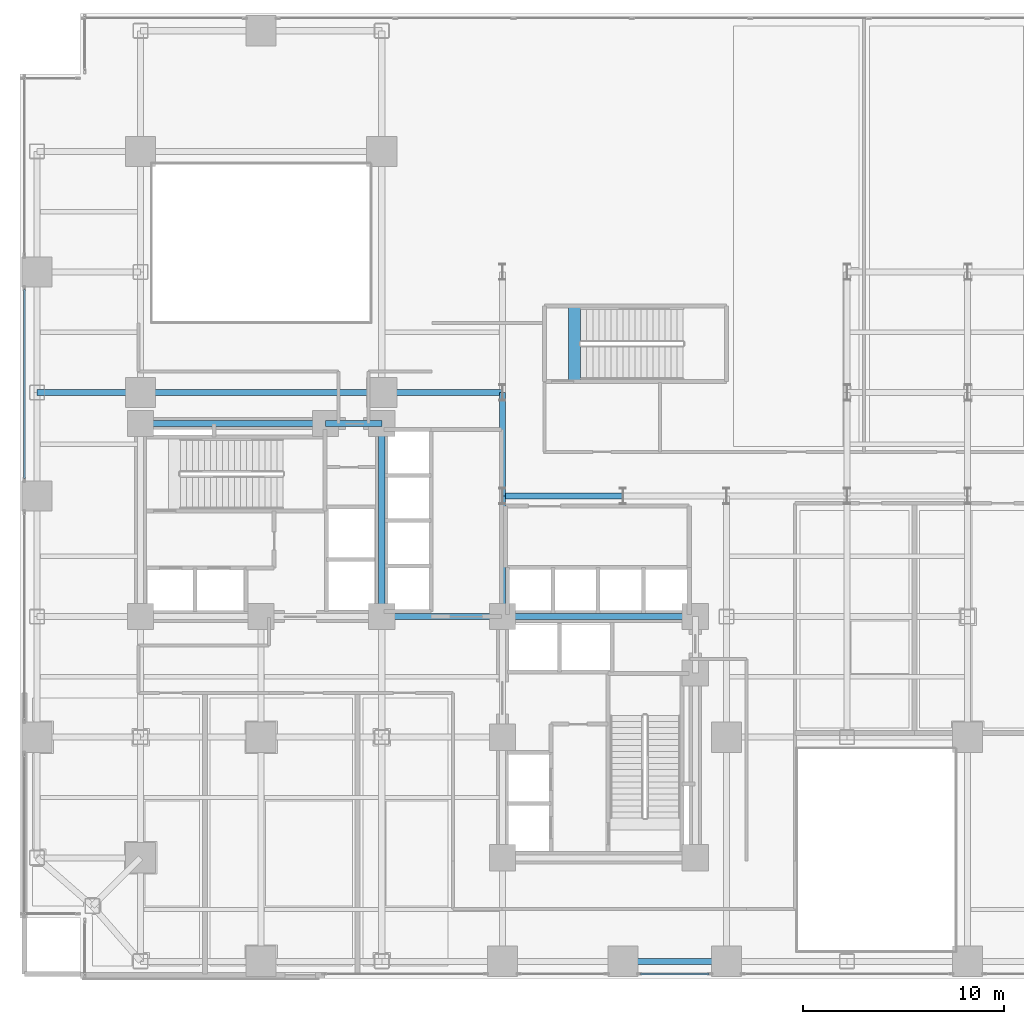
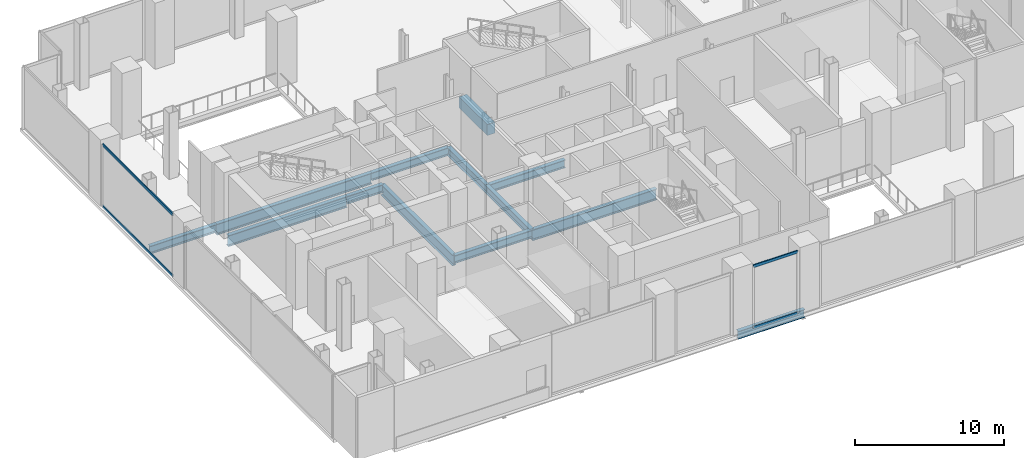
# One storey, part 8 of 28: 13 beams, 4 members, 2 elements without a shape of their own.
"""IFC4 building model written with IfcOpenShell, lengths in metres."""

from ifc_helpers import new_model, si_unit, direction, frame, origin, origin_2d, place, context, subcontext, project, spatial, rectangle, hollow_rectangle, i_section, extrude, material, layer, layer_set, material_profile, profile_set, type_object, element, aggregate, save


model = new_model("IFC4")

# Units and contexts
model_context = context("Model", 3, precision=1e-05, world=origin(), true_north=direction((0.0, 1.0)))
body_context = subcontext(model_context, "Body", "Model", "MODEL_VIEW")
ifc_project = project(units=[si_unit("LENGTHUNIT", "METRE"), si_unit("AREAUNIT", "SQUARE_METRE"), si_unit("VOLUMEUNIT", "CUBIC_METRE"), si_unit("PLANEANGLEUNIT", "RADIAN"), si_unit("MASSUNIT", "GRAM", prefix="KILO"), si_unit("THERMODYNAMICTEMPERATUREUNIT", "KELVIN"), si_unit("POWERUNIT", "WATT")], contexts=[model_context])

# Site, building, storey
site_placement = place(None, origin())
site = spatial("IfcSite", under=ifc_project, at=site_placement, CompositionType="ELEMENT")
building_placement = place(site_placement, origin())
building = spatial("IfcBuilding", under=site, at=building_placement, Name="Svarakhadi Broadcast Tower", CompositionType="ELEMENT")
storey_placement = place(building_placement, frame((0.0, 0.0, 11.10009765625)))
storey = spatial("IfcBuildingStorey", under=building, at=storey_placement, Name="L02", CompositionType="ELEMENT", Elevation=11.10009765625)

# Curtain wall, members
ifc_material_1 = material(Name="Anodised Bronze Aluminium AA 6063-T6", Category="aluminium")
ifc_layer = layer(ifc_material_1, 0.25)
ifc_layer_set = layer_set([ifc_layer], Name="Anodised Bronze Aluminium AA 6063-T6")
curtain_wall_type = type_object("IfcCurtainWallType", Name="CW_Sys_01", PredefinedType="NOTDEFINED", material=ifc_layer_set)
curtain_wall_1_placement = place(storey_placement, origin())
curtain_wall_1 = element("IfcCurtainWall", 1, at=curtain_wall_1_placement, inside=storey, type_object=curtain_wall_type, Name="L02 Unitised Facade Curtain Wall 02 Bay 3", PredefinedType="NOTDEFINED")
ifc_material_profile_1 = material_profile(ifc_material_1, hollow_rectangle(XDim=0.0849609375, YDim=0.219970703125, WallThickness=0.0048828125, at=origin_2d()), Name="ALU TRANSOM 220x85x5")
ifc_profile_set_1 = profile_set([ifc_material_profile_1], Name="Anodised Bronze Aluminium AA 6063-T6")
member_type = type_object("IfcMemberType", Name="CW_Sys_01_Trn", PredefinedType="USERDEFINED", material=ifc_profile_set_1)
member_1_placement = place(storey_placement, frame((0.219970703125, 24.864990234375, 0.04248046875), z_axis=(0.0, 1.0, 0.0), x_axis=(-1.0, 0.0, 0.0)))
member_1 = element("IfcMember", 2, at=member_1_placement, type_object=member_type, Name="CW-01 transom 1.1", ObjectType="TRANSOM", PredefinedType="USERDEFINED", context=body_context, shape_type="SweptSolid", body=[
    extrude(hollow_rectangle(XDim=0.0849609375, YDim=0.219970703125, WallThickness=0.0048828125, at=origin_2d()), origin(), (0.0, 0.0, 1.0), 9.419921875),
])
member_2_placement = place(storey_placement, frame((0.219970703125, 24.864990234375, 5.057373046875), z_axis=(0.0, 1.0, 0.0), x_axis=(-1.0, 0.0, 0.0)))
member_2 = element("IfcMember", 3, at=member_2_placement, type_object=member_type, Name="CW-01 transom 1.2", ObjectType="TRANSOM", PredefinedType="USERDEFINED", context=body_context, shape_type="SweptSolid", body=[
    extrude(hollow_rectangle(XDim=0.0849609375, YDim=0.219970703125, WallThickness=0.0048828125, at=origin_2d()), origin(), (0.0, 0.0, 1.0), 9.419921875),
])
aggregate(curtain_wall_1, [member_1, member_2])

curtain_wall_2_placement = place(storey_placement, origin())
curtain_wall_2 = element("IfcCurtainWall", 4, at=curtain_wall_2_placement, inside=storey, type_object=curtain_wall_type, Name="L02 South Curtain Wall 11 Bay 3", PredefinedType="NOTDEFINED")
member_3_placement = place(storey_placement, frame((34.284912109375, 0.219970703125, 0.04248046875), z_axis=(-1.0, 0.0, 0.0), x_axis=(0.0, -1.0, 0.0)))
member_3 = element("IfcMember", 5, at=member_3_placement, type_object=member_type, Name="CW-01 transom 1.1", ObjectType="TRANSOM", PredefinedType="USERDEFINED", context=body_context, shape_type="SweptSolid", body=[
    extrude(hollow_rectangle(XDim=0.0849609375, YDim=0.219970703125, WallThickness=0.0048828125, at=origin_2d()), origin(), (0.0, 0.0, 1.0), 3.419921875),
])
member_4_placement = place(storey_placement, frame((34.284912109375, 0.219970703125, 5.057373046875), z_axis=(-1.0, 0.0, 0.0), x_axis=(0.0, -1.0, 0.0)))
member_4 = element("IfcMember", 6, at=member_4_placement, type_object=member_type, Name="CW-01 transom 1.2", ObjectType="TRANSOM", PredefinedType="USERDEFINED", context=body_context, shape_type="SweptSolid", body=[
    extrude(hollow_rectangle(XDim=0.0849609375, YDim=0.219970703125, WallThickness=0.0048828125, at=origin_2d()), origin(), (0.0, 0.0, 1.0), 3.419921875),
])
aggregate(curtain_wall_2, [member_3, member_4])

# Beams
ifc_material_2 = material(Name="Concrete C50/60 (IS 456 M60)", Category="concrete")
ifc_material_profile_2 = material_profile(ifc_material_2, rectangle(XDim=0.60009765625, YDim=0.89990234375, at=origin_2d()), Name="RC 600x900")
ifc_profile_set_2 = profile_set([ifc_material_profile_2], Name="Concrete C50/60 (IS 456 M60)")
beam_type_1 = type_object("IfcBeamType", Name="Coupling_RC600", PredefinedType="USERDEFINED", material=ifc_profile_set_2)
beam_1_placement = place(storey_placement, frame((27.60009765625, 29.699951171875, -0.4501953125), z_axis=(0.0, 1.0, 0.0), x_axis=(-1.0, 0.0, 0.0)))
element("IfcBeam", 7, at=beam_1_placement, inside=storey, type_object=beam_type_1, Name="L02 Stair ST-03 Landing Throat Trimmer Beam CB-01", ObjectType="GIRDER", PredefinedType="USERDEFINED", context=body_context, shape_type="SweptSolid", body=[
    extrude(rectangle(XDim=0.60009765625, YDim=0.89990234375, at=origin_2d()), origin(), (0.0, 0.0, 1.0), 3.760009765625),
])
ifc_material_3 = material(Name="Steel S355J2 (IS 2062 E350C)", Category="steel")
ifc_material_profile_3 = material_profile(ifc_material_3, i_section(OverallWidth=0.300048828125, OverallDepth=0.64990234375, WebThickness=0.01611328125, FlangeThickness=0.031005859375, FilletRadius=0.027099609375, at=origin_2d()), Name="WPB 650x300x225")
ifc_profile_set_3 = profile_set([ifc_material_profile_3], Name="Steel S355J2 (IS 2062 E350C)")
beam_type_2 = type_object("IfcBeamType", Name="Girder_WPB650", PredefinedType="USERDEFINED", material=ifc_profile_set_3)
beam_2_placement = place(storey_placement, frame((30.0, 0.85009765625, -0.60009765625), z_axis=(1.0, 0.0, 0.0), x_axis=(0.0, 1.0, 0.0)))
element("IfcBeam", 8, at=beam_2_placement, inside=storey, type_object=beam_type_2, Name="L02 Primary E-W Girder G008", ObjectType="GIRDER", PredefinedType="USERDEFINED", context=body_context, shape_type="SweptSolid", body=[
    extrude(i_section(OverallWidth=0.300048828125, OverallDepth=0.64990234375, WebThickness=0.01611328125, FlangeThickness=0.031005859375, FilletRadius=0.027099609375, at=origin_2d()), origin(), (0.0, 0.0, 1.0), 5.14990234375),
])
for number, where, z_axis, x_axis, name in (
    (9, (18.0, 18.0, -0.60009765625), (1.0, 0.0, 0.0), (0.0, 1.0, 0.0), "L02 Primary E-W Girder G023"),
    (10, (24.0, 24.0, -0.60009765625), (1.0, 0.0, 0.0), (0.0, 1.0, 0.0), "L02 Primary E-W Girder G026"),
):
    element("IfcBeam", number, at=place(storey_placement, frame(where, z_axis=z_axis, x_axis=x_axis)), inside=storey, type_object=beam_type_2, Name=name, ObjectType="GIRDER", PredefinedType="USERDEFINED", context=body_context, shape_type="SweptSolid", body=[
        extrude(i_section(OverallWidth=0.300048828125, OverallDepth=0.64990234375, WebThickness=0.01611328125, FlangeThickness=0.031005859375, FilletRadius=0.027099609375, at=origin_2d()), origin(), (0.0, 0.0, 1.0), 6.0),
    ])
beam_3_placement = place(storey_placement, frame((15.199951171875, 27.60009765625, -0.60009765625), z_axis=(1.0, 0.0, 0.0), x_axis=(0.0, 1.0, 0.0)))
element("IfcBeam", 11, at=beam_3_placement, inside=storey, type_object=beam_type_2, Name="L02 Primary E-W Girder G031", ObjectType="GIRDER", PredefinedType="USERDEFINED", context=body_context, shape_type="SweptSolid", body=[
    extrude(i_section(OverallWidth=0.300048828125, OverallDepth=0.64990234375, WebThickness=0.01611328125, FlangeThickness=0.031005859375, FilletRadius=0.027099609375, at=origin_2d()), origin(), (0.0, 0.0, 1.0), 2.800048828125),
])
beam_4_placement = place(storey_placement, frame((0.85009765625, 29.14990234375, -0.60009765625), z_axis=(1.0, 0.0, 0.0), x_axis=(0.0, 1.0, 0.0)))
element("IfcBeam", 12, at=beam_4_placement, inside=storey, type_object=beam_type_2, Name="L02 Primary E-W Girder G032", ObjectType="GIRDER", PredefinedType="USERDEFINED", context=body_context, shape_type="SweptSolid", body=[
    extrude(i_section(OverallWidth=0.300048828125, OverallDepth=0.64990234375, WebThickness=0.01611328125, FlangeThickness=0.031005859375, FilletRadius=0.027099609375, at=origin_2d()), origin(), (0.0, 0.0, 1.0), 5.14990234375),
])
for number, where, z_axis, x_axis, name in (
    (13, (18.0, 29.14990234375, -0.60009765625), (1.0, 0.0, 0.0), (0.0, 1.0, 0.0), "L02 Primary E-W Girder G034"),
    (14, (24.0, 18.0, -0.60009765625), (0.0, 1.0, 0.0), (-1.0, 0.0, 0.0), "L02 Primary N-S Girder G067"),
):
    element("IfcBeam", number, at=place(storey_placement, frame(where, z_axis=z_axis, x_axis=x_axis)), inside=storey, type_object=beam_type_2, Name=name, ObjectType="GIRDER", PredefinedType="USERDEFINED", context=body_context, shape_type="SweptSolid", body=[
        extrude(i_section(OverallWidth=0.300048828125, OverallDepth=0.64990234375, WebThickness=0.01611328125, FlangeThickness=0.031005859375, FilletRadius=0.027099609375, at=origin_2d()), origin(), (0.0, 0.0, 1.0), 6.0),
    ])
beam_5_placement = place(storey_placement, frame((24.0, 24.0, -0.60009765625), z_axis=(0.0, 1.0, 0.0), x_axis=(-1.0, 0.0, 0.0)))
element("IfcBeam", 15, at=beam_5_placement, inside=storey, type_object=beam_type_2, Name="L02 Primary N-S Girder G068", ObjectType="GIRDER", PredefinedType="USERDEFINED", context=body_context, shape_type="SweptSolid", body=[
    extrude(i_section(OverallWidth=0.300048828125, OverallDepth=0.64990234375, WebThickness=0.01611328125, FlangeThickness=0.031005859375, FilletRadius=0.027099609375, at=origin_2d()), origin(), (0.0, 0.0, 1.0), 5.14990234375),
])
ifc_material_4 = material(Name="Steel S460ML (IS 2062 E450BR)", Category="steel")
ifc_material_profile_4 = material_profile(ifc_material_4, i_section(OverallWidth=0.300048828125, OverallDepth=0.89990234375, WebThickness=0.0185546875, FlangeThickness=0.034912109375, FilletRadius=0.030029296875, at=origin_2d()), Name="WPB 900x300x291")
ifc_profile_set_4 = profile_set([ifc_material_profile_4], Name="Steel S460ML (IS 2062 E450BR)")
beam_type_3 = type_object("IfcBeamType", Name="Girder_WPB900", PredefinedType="USERDEFINED", material=ifc_profile_set_4)
beam_6_placement = place(storey_placement, frame((24.0, 18.0, -0.72509765625), z_axis=(1.0, 0.0, 0.0), x_axis=(0.0, 1.0, 0.0)))
element("IfcBeam", 16, at=beam_6_placement, inside=storey, type_object=beam_type_3, Name="L02 Primary E-W Girder G024", ObjectType="GIRDER", PredefinedType="USERDEFINED", context=body_context, shape_type="SweptSolid", body=[
    extrude(i_section(OverallWidth=0.300048828125, OverallDepth=0.89990234375, WebThickness=0.0185546875, FlangeThickness=0.034912109375, FilletRadius=0.030029296875, at=origin_2d()), origin(), (0.0, 0.0, 1.0), 9.60009765625),
])
beam_7_placement = place(storey_placement, frame((6.0, 27.60009765625, -0.72509765625), z_axis=(1.0, 0.0, 0.0), x_axis=(0.0, 1.0, 0.0)))
element("IfcBeam", 17, at=beam_7_placement, inside=storey, type_object=beam_type_3, Name="L02 Primary E-W Girder G030", ObjectType="GIRDER", PredefinedType="USERDEFINED", context=body_context, shape_type="SweptSolid", body=[
    extrude(i_section(OverallWidth=0.300048828125, OverallDepth=0.89990234375, WebThickness=0.0185546875, FlangeThickness=0.034912109375, FilletRadius=0.030029296875, at=origin_2d()), origin(), (0.0, 0.0, 1.0), 9.199951171875),
])
beam_8_placement = place(storey_placement, frame((6.0, 29.14990234375, -0.72509765625), z_axis=(1.0, 0.0, 0.0), x_axis=(0.0, 1.0, 0.0)))
element("IfcBeam", 18, at=beam_8_placement, inside=storey, type_object=beam_type_3, Name="L02 Primary E-W Girder G033", ObjectType="GIRDER", PredefinedType="USERDEFINED", context=body_context, shape_type="SweptSolid", body=[
    extrude(i_section(OverallWidth=0.300048828125, OverallDepth=0.89990234375, WebThickness=0.0185546875, FlangeThickness=0.034912109375, FilletRadius=0.030029296875, at=origin_2d()), origin(), (0.0, 0.0, 1.0), 12.0),
])
beam_9_placement = place(storey_placement, frame((18.0, 18.0, -0.72509765625), z_axis=(0.0, 1.0, 0.0), x_axis=(-1.0, 0.0, 0.0)))
element("IfcBeam", 19, at=beam_9_placement, inside=storey, type_object=beam_type_3, Name="L02 Primary N-S Girder G061", ObjectType="GIRDER", PredefinedType="USERDEFINED", context=body_context, shape_type="SweptSolid", body=[
    extrude(i_section(OverallWidth=0.300048828125, OverallDepth=0.89990234375, WebThickness=0.0185546875, FlangeThickness=0.034912109375, FilletRadius=0.030029296875, at=origin_2d()), origin(), (0.0, 0.0, 1.0), 9.60009765625),
])

save(model, "model.ifc")
